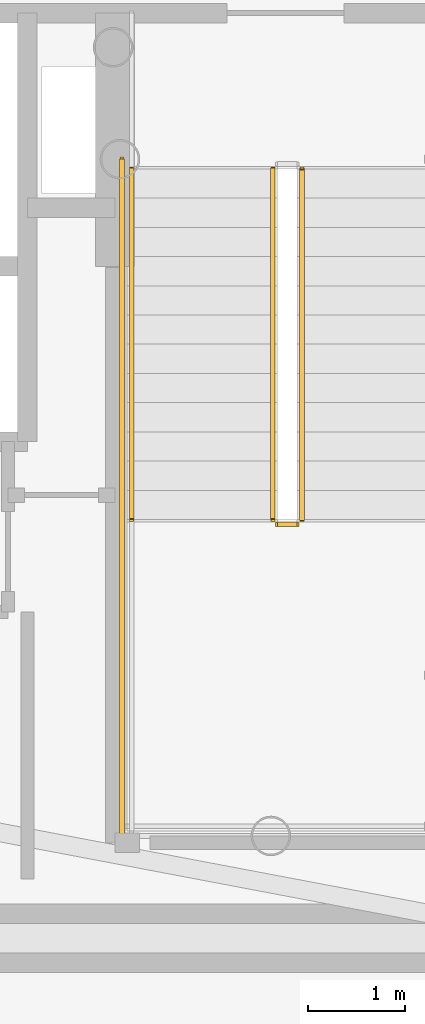
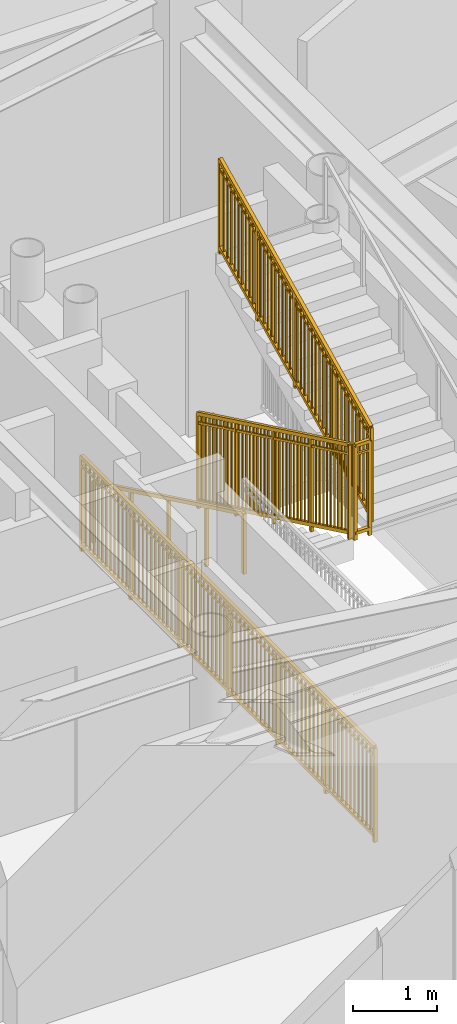
# One storey, part 17 of 20: 5 railings.
"""IFC4 building model written with IfcOpenShell, lengths in metres."""

from ifc_helpers import new_model, si_unit, direction, frame, origin, origin_2d, place, context, subcontext, project, spatial, rectangle, extrude, source, transform, mapped, material, type_object, element, save


model = new_model("IFC4")

# Units and contexts
model_context = context("Model", 3, precision=1e-05, world=origin(), true_north=direction((0.0, 1.0)))
body_context = subcontext(model_context, "Body", "Model", "MODEL_VIEW")
ifc_project = project(units=[si_unit("LENGTHUNIT", "METRE"), si_unit("AREAUNIT", "SQUARE_METRE"), si_unit("VOLUMEUNIT", "CUBIC_METRE"), si_unit("PLANEANGLEUNIT", "RADIAN"), si_unit("MASSUNIT", "GRAM", prefix="KILO")], contexts=[model_context])

# Site, building, storey
site_placement = place(None, origin())
site = spatial("IfcSite", under=ifc_project, at=site_placement, CompositionType="ELEMENT")
building_placement = place(site_placement, origin())
building = spatial("IfcBuilding", under=site, at=building_placement, Name="Linh Dai School and Residence Tower", CompositionType="ELEMENT")
storey_placement = place(building_placement, frame((0.0, 0.0, 232.800048828125)))
storey = spatial("IfcBuildingStorey", under=building, at=storey_placement, Name="L57", CompositionType="ELEMENT", Elevation=232.800048828125)

# Railings
ifc_material_1 = material(Name="Structural Steel S355JR", Category="steel")
railing_type_1 = type_object("IfcRailingType", Name="RL-ST-GUARD-1400", PredefinedType="GUARDRAIL", material=ifc_material_1)
shared_shape_1 = source(origin(), body_context, "Body", "SweptSolid", [
    extrude(rectangle(XDim=0.048095703125, YDim=0.048095703125, at=origin_2d()), frame((0.0, 0.0, 1.3759765625), z_axis=(0.0, 0.901262522062, 0.433273431364), x_axis=(-1.0, 0.0, 0.0)), (0.0, 0.0, 1.0), 3.994384765625),
    extrude(rectangle(XDim=0.048095703125, YDim=0.048095703125, at=origin_2d()), frame((0.0, 0.0, 0.10009765625), z_axis=(0.0, 0.901262522062, 0.433273431364), x_axis=(-1.0, 0.0, 0.0)), (0.0, 0.0, 1.0), 3.994384765625),
    extrude(rectangle(XDim=0.030029296875, YDim=0.030029296875, at=origin_2d()), frame((0.0, 0.0, 1.239990234375), z_axis=(0.0, 0.901262522062, 0.433273431364), x_axis=(-1.0, 0.0, 0.0)), (0.0, 0.0, 1.0), 3.994384765625),
    extrude(rectangle(XDim=0.02001953125, YDim=0.02001953125, at=origin_2d()), frame((0.0, 0.087890625, 0.142333984375)), (0.0, 0.0, 1.0), 1.251708984375),
    extrude(rectangle(XDim=0.02001953125, YDim=0.02001953125, at=origin_2d()), frame((0.0, 0.175537109375, 0.1845703125)), (0.0, 0.0, 1.0), 1.251708984375),
    extrude(rectangle(XDim=0.02001953125, YDim=0.02001953125, at=origin_2d()), frame((0.0, 0.263427734375, 0.226806640625)), (0.0, 0.0, 1.0), 1.251708984375),
    extrude(rectangle(XDim=0.02001953125, YDim=0.02001953125, at=origin_2d()), frame((0.0, 0.351318359375, 0.26904296875)), (0.0, 0.0, 1.0), 1.251708984375),
    extrude(rectangle(XDim=0.02001953125, YDim=0.02001953125, at=origin_2d()), frame((0.0, 0.43896484375, 0.311279296875)), (0.0, 0.0, 1.0), 1.251708984375),
    extrude(rectangle(XDim=0.02001953125, YDim=0.02001953125, at=origin_2d()), frame((0.0, 0.52685546875, 0.353271484375)), (0.0, 0.0, 1.0), 1.251708984375),
    extrude(rectangle(XDim=0.02001953125, YDim=0.02001953125, at=origin_2d()), frame((0.0, 0.61474609375, 0.3955078125)), (0.0, 0.0, 1.0), 1.251708984375),
    extrude(rectangle(XDim=0.02001953125, YDim=0.02001953125, at=origin_2d()), frame((0.0, 0.702392578125, 0.437744140625)), (0.0, 0.0, 1.0), 1.251708984375),
    extrude(rectangle(XDim=0.02001953125, YDim=0.02001953125, at=origin_2d()), frame((0.0, 0.790283203125, 0.47998046875)), (0.0, 0.0, 1.0), 1.251708984375),
    extrude(rectangle(XDim=0.02001953125, YDim=0.02001953125, at=origin_2d()), frame((0.0, 0.9658203125, 0.564453125)), (0.0, 0.0, 1.0), 1.251708984375),
    extrude(rectangle(XDim=0.02001953125, YDim=0.02001953125, at=origin_2d()), frame((0.0, 1.0537109375, 0.606689453125)), (0.0, 0.0, 1.0), 1.251708984375),
    extrude(rectangle(XDim=0.02001953125, YDim=0.02001953125, at=origin_2d()), frame((0.0, 1.1416015625, 0.64892578125)), (0.0, 0.0, 1.0), 1.251708984375),
    extrude(rectangle(XDim=0.02001953125, YDim=0.02001953125, at=origin_2d()), frame((0.0, 1.229248046875, 0.691162109375)), (0.0, 0.0, 1.0), 1.251708984375),
    extrude(rectangle(XDim=0.02001953125, YDim=0.02001953125, at=origin_2d()), frame((0.0, 1.317138671875, 0.7333984375)), (0.0, 0.0, 1.0), 1.251708984375),
    extrude(rectangle(XDim=0.02001953125, YDim=0.02001953125, at=origin_2d()), frame((0.0, 1.405029296875, 0.775390625)), (0.0, 0.0, 1.0), 1.251708984375),
    extrude(rectangle(XDim=0.02001953125, YDim=0.02001953125, at=origin_2d()), frame((0.0, 1.49267578125, 0.817626953125)), (0.0, 0.0, 1.0), 1.251708984375),
    extrude(rectangle(XDim=0.02001953125, YDim=0.02001953125, at=origin_2d()), frame((0.0, 1.58056640625, 0.85986328125)), (0.0, 0.0, 1.0), 1.251708984375),
    extrude(rectangle(XDim=0.02001953125, YDim=0.02001953125, at=origin_2d()), frame((0.0, 1.66845703125, 0.902099609375)), (0.0, 0.0, 1.0), 1.251708984375),
    extrude(rectangle(XDim=0.02001953125, YDim=0.02001953125, at=origin_2d()), frame((0.0, 1.756103515625, 0.9443359375)), (0.0, 0.0, 1.0), 1.251708984375),
    extrude(rectangle(XDim=0.02001953125, YDim=0.02001953125, at=origin_2d()), frame((0.0, 1.843994140625, 0.986572265625)), (0.0, 0.0, 1.0), 1.251708984375),
    extrude(rectangle(XDim=0.02001953125, YDim=0.02001953125, at=origin_2d()), frame((0.0, 1.931640625, 1.02880859375)), (0.0, 0.0, 1.0), 1.251708984375),
    extrude(rectangle(XDim=0.02001953125, YDim=0.02001953125, at=origin_2d()), frame((0.0, 2.01953125, 1.071044921875)), (0.0, 0.0, 1.0), 1.251708984375),
    extrude(rectangle(XDim=0.02001953125, YDim=0.02001953125, at=origin_2d()), frame((0.0, 2.107421875, 1.11328125)), (0.0, 0.0, 1.0), 1.251708984375),
    extrude(rectangle(XDim=0.02001953125, YDim=0.02001953125, at=origin_2d()), frame((0.0, 2.195068359375, 1.155517578125)), (0.0, 0.0, 1.0), 1.251708984375),
    extrude(rectangle(XDim=0.02001953125, YDim=0.02001953125, at=origin_2d()), frame((0.0, 2.282958984375, 1.197509765625)), (0.0, 0.0, 1.0), 1.251708984375),
    extrude(rectangle(XDim=0.02001953125, YDim=0.02001953125, at=origin_2d()), frame((0.0, 2.370849609375, 1.23974609375)), (0.0, 0.0, 1.0), 1.251708984375),
    extrude(rectangle(XDim=0.02001953125, YDim=0.02001953125, at=origin_2d()), frame((0.0, 2.45849609375, 1.281982421875)), (0.0, 0.0, 1.0), 1.251708984375),
    extrude(rectangle(XDim=0.02001953125, YDim=0.02001953125, at=origin_2d()), frame((0.0, 2.54638671875, 1.32421875)), (0.0, 0.0, 1.0), 1.251708984375),
    extrude(rectangle(XDim=0.02001953125, YDim=0.02001953125, at=origin_2d()), frame((0.0, 2.63427734375, 1.366455078125)), (0.0, 0.0, 1.0), 1.251708984375),
    extrude(rectangle(XDim=0.02001953125, YDim=0.02001953125, at=origin_2d()), frame((0.0, 2.809814453125, 1.450927734375)), (0.0, 0.0, 1.0), 1.251708984375),
    extrude(rectangle(XDim=0.02001953125, YDim=0.02001953125, at=origin_2d()), frame((0.0, 2.897705078125, 1.4931640625)), (0.0, 0.0, 1.0), 1.251708984375),
    extrude(rectangle(XDim=0.02001953125, YDim=0.02001953125, at=origin_2d()), frame((0.0, 2.9853515625, 1.535400390625)), (0.0, 0.0, 1.0), 1.251708984375),
    extrude(rectangle(XDim=0.02001953125, YDim=0.02001953125, at=origin_2d()), frame((0.0, 3.0732421875, 1.57763671875)), (0.0, 0.0, 1.0), 1.251708984375),
    extrude(rectangle(XDim=0.02001953125, YDim=0.02001953125, at=origin_2d()), frame((0.0, 3.1611328125, 1.61962890625)), (0.0, 0.0, 1.0), 1.251708984375),
    extrude(rectangle(XDim=0.02001953125, YDim=0.02001953125, at=origin_2d()), frame((0.0, 3.248779296875, 1.661865234375)), (0.0, 0.0, 1.0), 1.251708984375),
    extrude(rectangle(XDim=0.02001953125, YDim=0.02001953125, at=origin_2d()), frame((0.0, 3.336669921875, 1.7041015625)), (0.0, 0.0, 1.0), 1.251708984375),
    extrude(rectangle(XDim=0.02001953125, YDim=0.02001953125, at=origin_2d()), frame((0.0, 3.424560546875, 1.746337890625)), (0.0, 0.0, 1.0), 1.251708984375),
    extrude(rectangle(XDim=0.02001953125, YDim=0.02001953125, at=origin_2d()), frame((0.0, 3.51220703125, 1.78857421875)), (0.0, 0.0, 1.0), 1.251708984375),
    extrude(rectangle(XDim=0.0419921875, YDim=0.0419921875, at=origin_2d()), origin(), (0.0, 0.0, 1.0), 1.3759765625),
    extrude(rectangle(XDim=0.0419921875, YDim=0.0419921875, at=origin_2d()), frame((0.0, 0.89990234375, 0.4326171875)), (0.0, 0.0, 1.0), 1.3759765625),
    extrude(rectangle(XDim=0.0419921875, YDim=0.0419921875, at=origin_2d()), frame((0.0, 1.800048828125, 0.865234375)), (0.0, 0.0, 1.0), 1.3759765625),
    extrude(rectangle(XDim=0.0419921875, YDim=0.0419921875, at=origin_2d()), frame((0.0, 2.7001953125, 1.298095703125)), (0.0, 0.0, 1.0), 1.3759765625),
    extrude(rectangle(XDim=0.0419921875, YDim=0.0419921875, at=origin_2d()), frame((0.0, 3.60009765625, 1.730712890625)), (0.0, 0.0, 1.0), 1.3759765625),
])
railing_1_placement = place(storey_placement, frame((42.820068359375, 24.64990234375, 2.019287109375)))
element("IfcRailing", 1, at=railing_1_placement, inside=storey, type_object=railing_type_1, Name="L57 ST2 stair guard 6", PredefinedType="GUARDRAIL", context=body_context, shape_type="MappedRepresentation", body=[
    mapped(shared_shape_1, transform((0.0, 0.0, 0.0), x_axis=(1.0, 0.0, 0.0), y_axis=(0.0, 1.0, 0.0), z_axis=(0.0, 0.0, 1.0), scale=1.0)),
])
shared_shape_2 = source(origin(), body_context, "Body", "SweptSolid", [
    extrude(rectangle(XDim=0.048095703125, YDim=0.048095703125, at=origin_2d()), frame((0.0, 0.0, 1.3759765625), z_axis=(0.0, -0.901262522062, 0.433273431364), x_axis=(1.0, 0.0, 0.0)), (0.0, 0.0, 1.0), 3.994384765625),
    extrude(rectangle(XDim=0.048095703125, YDim=0.048095703125, at=origin_2d()), frame((0.0, 0.0, 0.10009765625), z_axis=(0.0, -0.901262522062, 0.433273431364), x_axis=(1.0, 0.0, 0.0)), (0.0, 0.0, 1.0), 3.994384765625),
    extrude(rectangle(XDim=0.030029296875, YDim=0.030029296875, at=origin_2d()), frame((0.0, 0.0, 1.239990234375), z_axis=(0.0, -0.901262522062, 0.433273431364), x_axis=(1.0, 0.0, 0.0)), (0.0, 0.0, 1.0), 3.994384765625),
    extrude(rectangle(XDim=0.02001953125, YDim=0.02001953125, at=origin_2d()), frame((0.0, -0.087890625, 0.142333984375)), (0.0, 0.0, 1.0), 1.251708984375),
    extrude(rectangle(XDim=0.02001953125, YDim=0.02001953125, at=origin_2d()), frame((0.0, -0.175537109375, 0.1845703125)), (0.0, 0.0, 1.0), 1.251708984375),
    extrude(rectangle(XDim=0.02001953125, YDim=0.02001953125, at=origin_2d()), frame((0.0, -0.263427734375, 0.226806640625)), (0.0, 0.0, 1.0), 1.251708984375),
    extrude(rectangle(XDim=0.02001953125, YDim=0.02001953125, at=origin_2d()), frame((0.0, -0.351318359375, 0.26904296875)), (0.0, 0.0, 1.0), 1.251708984375),
    extrude(rectangle(XDim=0.02001953125, YDim=0.02001953125, at=origin_2d()), frame((0.0, -0.43896484375, 0.311279296875)), (0.0, 0.0, 1.0), 1.251708984375),
    extrude(rectangle(XDim=0.02001953125, YDim=0.02001953125, at=origin_2d()), frame((0.0, -0.52685546875, 0.353271484375)), (0.0, 0.0, 1.0), 1.251708984375),
    extrude(rectangle(XDim=0.02001953125, YDim=0.02001953125, at=origin_2d()), frame((0.0, -0.61474609375, 0.3955078125)), (0.0, 0.0, 1.0), 1.251708984375),
    extrude(rectangle(XDim=0.02001953125, YDim=0.02001953125, at=origin_2d()), frame((0.0, -0.702392578125, 0.437744140625)), (0.0, 0.0, 1.0), 1.251708984375),
    extrude(rectangle(XDim=0.02001953125, YDim=0.02001953125, at=origin_2d()), frame((0.0, -0.790283203125, 0.47998046875)), (0.0, 0.0, 1.0), 1.251708984375),
    extrude(rectangle(XDim=0.02001953125, YDim=0.02001953125, at=origin_2d()), frame((0.0, -0.9658203125, 0.564453125)), (0.0, 0.0, 1.0), 1.251708984375),
    extrude(rectangle(XDim=0.02001953125, YDim=0.02001953125, at=origin_2d()), frame((0.0, -1.0537109375, 0.606689453125)), (0.0, 0.0, 1.0), 1.251708984375),
    extrude(rectangle(XDim=0.02001953125, YDim=0.02001953125, at=origin_2d()), frame((0.0, -1.1416015625, 0.64892578125)), (0.0, 0.0, 1.0), 1.251708984375),
    extrude(rectangle(XDim=0.02001953125, YDim=0.02001953125, at=origin_2d()), frame((0.0, -1.229248046875, 0.691162109375)), (0.0, 0.0, 1.0), 1.251708984375),
    extrude(rectangle(XDim=0.02001953125, YDim=0.02001953125, at=origin_2d()), frame((0.0, -1.317138671875, 0.7333984375)), (0.0, 0.0, 1.0), 1.251708984375),
    extrude(rectangle(XDim=0.02001953125, YDim=0.02001953125, at=origin_2d()), frame((0.0, -1.405029296875, 0.775390625)), (0.0, 0.0, 1.0), 1.251708984375),
    extrude(rectangle(XDim=0.02001953125, YDim=0.02001953125, at=origin_2d()), frame((0.0, -1.49267578125, 0.817626953125)), (0.0, 0.0, 1.0), 1.251708984375),
    extrude(rectangle(XDim=0.02001953125, YDim=0.02001953125, at=origin_2d()), frame((0.0, -1.58056640625, 0.85986328125)), (0.0, 0.0, 1.0), 1.251708984375),
    extrude(rectangle(XDim=0.02001953125, YDim=0.02001953125, at=origin_2d()), frame((0.0, -1.66845703125, 0.902099609375)), (0.0, 0.0, 1.0), 1.251708984375),
    extrude(rectangle(XDim=0.02001953125, YDim=0.02001953125, at=origin_2d()), frame((0.0, -1.756103515625, 0.9443359375)), (0.0, 0.0, 1.0), 1.251708984375),
    extrude(rectangle(XDim=0.02001953125, YDim=0.02001953125, at=origin_2d()), frame((0.0, -1.843994140625, 0.986572265625)), (0.0, 0.0, 1.0), 1.251708984375),
    extrude(rectangle(XDim=0.02001953125, YDim=0.02001953125, at=origin_2d()), frame((0.0, -1.931640625, 1.02880859375)), (0.0, 0.0, 1.0), 1.251708984375),
    extrude(rectangle(XDim=0.02001953125, YDim=0.02001953125, at=origin_2d()), frame((0.0, -2.01953125, 1.071044921875)), (0.0, 0.0, 1.0), 1.251708984375),
    extrude(rectangle(XDim=0.02001953125, YDim=0.02001953125, at=origin_2d()), frame((0.0, -2.107421875, 1.11328125)), (0.0, 0.0, 1.0), 1.251708984375),
    extrude(rectangle(XDim=0.02001953125, YDim=0.02001953125, at=origin_2d()), frame((0.0, -2.195068359375, 1.155517578125)), (0.0, 0.0, 1.0), 1.251708984375),
    extrude(rectangle(XDim=0.02001953125, YDim=0.02001953125, at=origin_2d()), frame((0.0, -2.282958984375, 1.197509765625)), (0.0, 0.0, 1.0), 1.251708984375),
    extrude(rectangle(XDim=0.02001953125, YDim=0.02001953125, at=origin_2d()), frame((0.0, -2.370849609375, 1.23974609375)), (0.0, 0.0, 1.0), 1.251708984375),
    extrude(rectangle(XDim=0.02001953125, YDim=0.02001953125, at=origin_2d()), frame((0.0, -2.45849609375, 1.281982421875)), (0.0, 0.0, 1.0), 1.251708984375),
    extrude(rectangle(XDim=0.02001953125, YDim=0.02001953125, at=origin_2d()), frame((0.0, -2.54638671875, 1.32421875)), (0.0, 0.0, 1.0), 1.251708984375),
    extrude(rectangle(XDim=0.02001953125, YDim=0.02001953125, at=origin_2d()), frame((0.0, -2.63427734375, 1.366455078125)), (0.0, 0.0, 1.0), 1.251708984375),
    extrude(rectangle(XDim=0.02001953125, YDim=0.02001953125, at=origin_2d()), frame((0.0, -2.809814453125, 1.450927734375)), (0.0, 0.0, 1.0), 1.251708984375),
    extrude(rectangle(XDim=0.02001953125, YDim=0.02001953125, at=origin_2d()), frame((0.0, -2.897705078125, 1.4931640625)), (0.0, 0.0, 1.0), 1.251708984375),
    extrude(rectangle(XDim=0.02001953125, YDim=0.02001953125, at=origin_2d()), frame((0.0, -2.9853515625, 1.535400390625)), (0.0, 0.0, 1.0), 1.251708984375),
    extrude(rectangle(XDim=0.02001953125, YDim=0.02001953125, at=origin_2d()), frame((0.0, -3.0732421875, 1.57763671875)), (0.0, 0.0, 1.0), 1.251708984375),
    extrude(rectangle(XDim=0.02001953125, YDim=0.02001953125, at=origin_2d()), frame((0.0, -3.1611328125, 1.61962890625)), (0.0, 0.0, 1.0), 1.251708984375),
    extrude(rectangle(XDim=0.02001953125, YDim=0.02001953125, at=origin_2d()), frame((0.0, -3.248779296875, 1.661865234375)), (0.0, 0.0, 1.0), 1.251708984375),
    extrude(rectangle(XDim=0.02001953125, YDim=0.02001953125, at=origin_2d()), frame((0.0, -3.336669921875, 1.7041015625)), (0.0, 0.0, 1.0), 1.251708984375),
    extrude(rectangle(XDim=0.02001953125, YDim=0.02001953125, at=origin_2d()), frame((0.0, -3.424560546875, 1.746337890625)), (0.0, 0.0, 1.0), 1.251708984375),
    extrude(rectangle(XDim=0.02001953125, YDim=0.02001953125, at=origin_2d()), frame((0.0, -3.51220703125, 1.78857421875)), (0.0, 0.0, 1.0), 1.251708984375),
    extrude(rectangle(XDim=0.0419921875, YDim=0.0419921875, at=origin_2d()), origin(), (0.0, 0.0, 1.0), 1.3759765625),
    extrude(rectangle(XDim=0.0419921875, YDim=0.0419921875, at=origin_2d()), frame((0.0, -0.89990234375, 0.4326171875)), (0.0, 0.0, 1.0), 1.3759765625),
    extrude(rectangle(XDim=0.0419921875, YDim=0.0419921875, at=origin_2d()), frame((0.0, -1.800048828125, 0.865234375)), (0.0, 0.0, 1.0), 1.3759765625),
    extrude(rectangle(XDim=0.0419921875, YDim=0.0419921875, at=origin_2d()), frame((0.0, -2.7001953125, 1.298095703125)), (0.0, 0.0, 1.0), 1.3759765625),
    extrude(rectangle(XDim=0.0419921875, YDim=0.0419921875, at=origin_2d()), frame((0.0, -3.60009765625, 1.730712890625)), (0.0, 0.0, 1.0), 1.3759765625),
])
railing_2_placement = place(storey_placement, frame((42.52001953125, 28.25, 0.144287109375)))
element("IfcRailing", 2, at=railing_2_placement, inside=storey, type_object=railing_type_1, Name="L57 ST2 stair guard 1", PredefinedType="GUARDRAIL", context=body_context, shape_type="MappedRepresentation", body=[
    mapped(shared_shape_2, transform((0.0, 0.0, 0.0), x_axis=(1.0, 0.0, 0.0), y_axis=(0.0, 1.0, 0.0), z_axis=(0.0, 0.0, 1.0), scale=1.0)),
])
ifc_material_2 = material(Name="Brushed Stainless Steel Handrail", Category="steel")
railing_type_2 = type_object("IfcRailingType", Name="RL-ST-HANDRAIL-900", PredefinedType="HANDRAIL", material=ifc_material_2)
shared_shape_3 = source(origin(), body_context, "Body", "SweptSolid", [
    extrude(rectangle(XDim=0.048095703125, YDim=0.048095703125, at=origin_2d()), frame((0.0, 0.0, 0.8759765625), z_axis=(0.0, -0.901262522062, 0.433273431364), x_axis=(1.0, 0.0, 0.0)), (0.0, 0.0, 1.0), 3.994384765625),
    extrude(rectangle(XDim=0.0419921875, YDim=0.0419921875, at=origin_2d()), origin(), (0.0, 0.0, 1.0), 0.8759765625),
    extrude(rectangle(XDim=0.0419921875, YDim=0.0419921875, at=origin_2d()), frame((0.0, -0.89990234375, 0.4326171875)), (0.0, 0.0, 1.0), 0.8759765625),
    extrude(rectangle(XDim=0.0419921875, YDim=0.0419921875, at=origin_2d()), frame((0.0, -1.800048828125, 0.865234375)), (0.0, 0.0, 1.0), 0.8759765625),
    extrude(rectangle(XDim=0.0419921875, YDim=0.0419921875, at=origin_2d()), frame((0.0, -2.7001953125, 1.298095703125)), (0.0, 0.0, 1.0), 0.8759765625),
    extrude(rectangle(XDim=0.0419921875, YDim=0.0419921875, at=origin_2d()), frame((0.0, -3.60009765625, 1.730712890625)), (0.0, 0.0, 1.0), 0.8759765625),
])
railing_3_placement = place(storey_placement, frame((41.070068359375, 28.25, 0.144287109375)))
element("IfcRailing", 3, at=railing_3_placement, inside=storey, type_object=railing_type_2, Name="L57 ST2 stair handrail 1", PredefinedType="HANDRAIL", context=body_context, shape_type="MappedRepresentation", body=[
    mapped(shared_shape_3, transform((0.0, 0.0, 0.0), x_axis=(1.0, 0.0, 0.0), y_axis=(0.0, 1.0, 0.0), z_axis=(0.0, 0.0, 1.0), scale=1.0)),
])
shared_shape_4 = source(origin(), body_context, "Body", "SweptSolid", [
    extrude(rectangle(XDim=0.048095703125, YDim=0.048095703125, at=origin_2d()), frame((0.0, 0.0, 1.3759765625), z_axis=(1.0, 0.0, 0.0), x_axis=(0.0, 1.0, 0.0)), (0.0, 0.0, 1.0), 0.199951171875),
    extrude(rectangle(XDim=0.048095703125, YDim=0.048095703125, at=origin_2d()), frame((0.0, 0.0, 0.10009765625), z_axis=(1.0, 0.0, 0.0), x_axis=(0.0, 1.0, 0.0)), (0.0, 0.0, 1.0), 0.199951171875),
    extrude(rectangle(XDim=0.030029296875, YDim=0.030029296875, at=origin_2d()), frame((0.0, 0.0, 1.239990234375), z_axis=(1.0, 0.0, 0.0), x_axis=(0.0, 1.0, 0.0)), (0.0, 0.0, 1.0), 0.199951171875),
    extrude(rectangle(XDim=0.0419921875, YDim=0.0419921875, at=origin_2d()), origin(), (0.0, 0.0, 1.0), 1.3759765625),
    extrude(rectangle(XDim=0.0419921875, YDim=0.0419921875, at=origin_2d()), frame((0.199951171875, 0.0, 0.0)), (0.0, 0.0, 1.0), 1.3759765625),
])
railing_4_placement = place(storey_placement, frame((42.570068359375, 24.60009765625, 1.875)))
element("IfcRailing", 4, at=railing_4_placement, inside=storey, type_object=railing_type_1, Name="L57 ST2 stair guard 2", PredefinedType="GUARDRAIL", context=body_context, shape_type="MappedRepresentation", body=[
    mapped(shared_shape_4, transform((0.0, 0.0, 0.0), x_axis=(1.0, 0.0, 0.0), y_axis=(0.0, 1.0, 0.0), z_axis=(0.0, 0.0, 1.0), scale=1.0)),
])
shared_shape_5 = source(origin(), body_context, "Body", "SweptSolid", [
    extrude(rectangle(XDim=0.048095703125, YDim=0.048095703125, at=origin_2d()), frame((0.0, 0.0, 1.3759765625), z_axis=(0.0, -1.0, 0.0), x_axis=(1.0, 0.0, 0.0)), (0.0, 0.0, 1.0), 7.0),
    extrude(rectangle(XDim=0.048095703125, YDim=0.048095703125, at=origin_2d()), frame((0.0, 0.0, 0.10009765625), z_axis=(0.0, -1.0, 0.0), x_axis=(1.0, 0.0, 0.0)), (0.0, 0.0, 1.0), 7.0),
    extrude(rectangle(XDim=0.030029296875, YDim=0.030029296875, at=origin_2d()), frame((0.0, 0.0, 1.239990234375), z_axis=(0.0, -1.0, 0.0), x_axis=(1.0, 0.0, 0.0)), (0.0, 0.0, 1.0), 7.0),
    extrude(rectangle(XDim=0.02001953125, YDim=0.02001953125, at=origin_2d()), frame((0.0, -0.09716796875, 0.10009765625)), (0.0, 0.0, 1.0), 1.251708984375),
    extrude(rectangle(XDim=0.02001953125, YDim=0.02001953125, at=origin_2d()), frame((0.0, -0.1943359375, 0.10009765625)), (0.0, 0.0, 1.0), 1.251708984375),
    extrude(rectangle(XDim=0.02001953125, YDim=0.02001953125, at=origin_2d()), frame((0.0, -0.291748046875, 0.10009765625)), (0.0, 0.0, 1.0), 1.251708984375),
    extrude(rectangle(XDim=0.02001953125, YDim=0.02001953125, at=origin_2d()), frame((0.0, -0.388916015625, 0.10009765625)), (0.0, 0.0, 1.0), 1.251708984375),
    extrude(rectangle(XDim=0.02001953125, YDim=0.02001953125, at=origin_2d()), frame((0.0, -0.486083984375, 0.10009765625)), (0.0, 0.0, 1.0), 1.251708984375),
    extrude(rectangle(XDim=0.02001953125, YDim=0.02001953125, at=origin_2d()), frame((0.0, -0.583251953125, 0.10009765625)), (0.0, 0.0, 1.0), 1.251708984375),
    extrude(rectangle(XDim=0.02001953125, YDim=0.02001953125, at=origin_2d()), frame((0.0, -0.6806640625, 0.10009765625)), (0.0, 0.0, 1.0), 1.251708984375),
    extrude(rectangle(XDim=0.02001953125, YDim=0.02001953125, at=origin_2d()), frame((0.0, -0.77783203125, 0.10009765625)), (0.0, 0.0, 1.0), 1.251708984375),
    extrude(rectangle(XDim=0.02001953125, YDim=0.02001953125, at=origin_2d()), frame((0.0, -0.875, 0.10009765625)), (0.0, 0.0, 1.0), 1.251708984375),
    extrude(rectangle(XDim=0.02001953125, YDim=0.02001953125, at=origin_2d()), frame((0.0, -0.97216796875, 0.10009765625)), (0.0, 0.0, 1.0), 1.251708984375),
    extrude(rectangle(XDim=0.02001953125, YDim=0.02001953125, at=origin_2d()), frame((0.0, -1.0693359375, 0.10009765625)), (0.0, 0.0, 1.0), 1.251708984375),
    extrude(rectangle(XDim=0.02001953125, YDim=0.02001953125, at=origin_2d()), frame((0.0, -1.263916015625, 0.10009765625)), (0.0, 0.0, 1.0), 1.251708984375),
    extrude(rectangle(XDim=0.02001953125, YDim=0.02001953125, at=origin_2d()), frame((0.0, -1.361083984375, 0.10009765625)), (0.0, 0.0, 1.0), 1.251708984375),
    extrude(rectangle(XDim=0.02001953125, YDim=0.02001953125, at=origin_2d()), frame((0.0, -1.458251953125, 0.10009765625)), (0.0, 0.0, 1.0), 1.251708984375),
    extrude(rectangle(XDim=0.02001953125, YDim=0.02001953125, at=origin_2d()), frame((0.0, -1.5556640625, 0.10009765625)), (0.0, 0.0, 1.0), 1.251708984375),
    extrude(rectangle(XDim=0.02001953125, YDim=0.02001953125, at=origin_2d()), frame((0.0, -1.65283203125, 0.10009765625)), (0.0, 0.0, 1.0), 1.251708984375),
    extrude(rectangle(XDim=0.02001953125, YDim=0.02001953125, at=origin_2d()), frame((0.0, -1.75, 0.10009765625)), (0.0, 0.0, 1.0), 1.251708984375),
    extrude(rectangle(XDim=0.02001953125, YDim=0.02001953125, at=origin_2d()), frame((0.0, -1.84716796875, 0.10009765625)), (0.0, 0.0, 1.0), 1.251708984375),
    extrude(rectangle(XDim=0.02001953125, YDim=0.02001953125, at=origin_2d()), frame((0.0, -1.9443359375, 0.10009765625)), (0.0, 0.0, 1.0), 1.251708984375),
    extrude(rectangle(XDim=0.02001953125, YDim=0.02001953125, at=origin_2d()), frame((0.0, -2.041748046875, 0.10009765625)), (0.0, 0.0, 1.0), 1.251708984375),
    extrude(rectangle(XDim=0.02001953125, YDim=0.02001953125, at=origin_2d()), frame((0.0, -2.138916015625, 0.10009765625)), (0.0, 0.0, 1.0), 1.251708984375),
    extrude(rectangle(XDim=0.02001953125, YDim=0.02001953125, at=origin_2d()), frame((0.0, -2.236083984375, 0.10009765625)), (0.0, 0.0, 1.0), 1.251708984375),
    extrude(rectangle(XDim=0.02001953125, YDim=0.02001953125, at=origin_2d()), frame((0.0, -2.4306640625, 0.10009765625)), (0.0, 0.0, 1.0), 1.251708984375),
    extrude(rectangle(XDim=0.02001953125, YDim=0.02001953125, at=origin_2d()), frame((0.0, -2.52783203125, 0.10009765625)), (0.0, 0.0, 1.0), 1.251708984375),
    extrude(rectangle(XDim=0.02001953125, YDim=0.02001953125, at=origin_2d()), frame((0.0, -2.625, 0.10009765625)), (0.0, 0.0, 1.0), 1.251708984375),
    extrude(rectangle(XDim=0.02001953125, YDim=0.02001953125, at=origin_2d()), frame((0.0, -2.72216796875, 0.10009765625)), (0.0, 0.0, 1.0), 1.251708984375),
    extrude(rectangle(XDim=0.02001953125, YDim=0.02001953125, at=origin_2d()), frame((0.0, -2.8193359375, 0.10009765625)), (0.0, 0.0, 1.0), 1.251708984375),
    extrude(rectangle(XDim=0.02001953125, YDim=0.02001953125, at=origin_2d()), frame((0.0, -2.916748046875, 0.10009765625)), (0.0, 0.0, 1.0), 1.251708984375),
    extrude(rectangle(XDim=0.02001953125, YDim=0.02001953125, at=origin_2d()), frame((0.0, -3.013916015625, 0.10009765625)), (0.0, 0.0, 1.0), 1.251708984375),
    extrude(rectangle(XDim=0.02001953125, YDim=0.02001953125, at=origin_2d()), frame((0.0, -3.111083984375, 0.10009765625)), (0.0, 0.0, 1.0), 1.251708984375),
    extrude(rectangle(XDim=0.02001953125, YDim=0.02001953125, at=origin_2d()), frame((0.0, -3.208251953125, 0.10009765625)), (0.0, 0.0, 1.0), 1.251708984375),
    extrude(rectangle(XDim=0.02001953125, YDim=0.02001953125, at=origin_2d()), frame((0.0, -3.3056640625, 0.10009765625)), (0.0, 0.0, 1.0), 1.251708984375),
    extrude(rectangle(XDim=0.02001953125, YDim=0.02001953125, at=origin_2d()), frame((0.0, -3.40283203125, 0.10009765625)), (0.0, 0.0, 1.0), 1.251708984375),
    extrude(rectangle(XDim=0.02001953125, YDim=0.02001953125, at=origin_2d()), frame((0.0, -3.59716796875, 0.10009765625)), (0.0, 0.0, 1.0), 1.251708984375),
    extrude(rectangle(XDim=0.02001953125, YDim=0.02001953125, at=origin_2d()), frame((0.0, -3.6943359375, 0.10009765625)), (0.0, 0.0, 1.0), 1.251708984375),
    extrude(rectangle(XDim=0.02001953125, YDim=0.02001953125, at=origin_2d()), frame((0.0, -3.791748046875, 0.10009765625)), (0.0, 0.0, 1.0), 1.251708984375),
    extrude(rectangle(XDim=0.02001953125, YDim=0.02001953125, at=origin_2d()), frame((0.0, -3.888916015625, 0.10009765625)), (0.0, 0.0, 1.0), 1.251708984375),
    extrude(rectangle(XDim=0.02001953125, YDim=0.02001953125, at=origin_2d()), frame((0.0, -3.986083984375, 0.10009765625)), (0.0, 0.0, 1.0), 1.251708984375),
    extrude(rectangle(XDim=0.02001953125, YDim=0.02001953125, at=origin_2d()), frame((0.0, -4.083251953125, 0.10009765625)), (0.0, 0.0, 1.0), 1.251708984375),
    extrude(rectangle(XDim=0.02001953125, YDim=0.02001953125, at=origin_2d()), frame((0.0, -4.1806640625, 0.10009765625)), (0.0, 0.0, 1.0), 1.251708984375),
    extrude(rectangle(XDim=0.02001953125, YDim=0.02001953125, at=origin_2d()), frame((0.0, -4.27783203125, 0.10009765625)), (0.0, 0.0, 1.0), 1.251708984375),
    extrude(rectangle(XDim=0.02001953125, YDim=0.02001953125, at=origin_2d()), frame((0.0, -4.375, 0.10009765625)), (0.0, 0.0, 1.0), 1.251708984375),
    extrude(rectangle(XDim=0.02001953125, YDim=0.02001953125, at=origin_2d()), frame((0.0, -4.47216796875, 0.10009765625)), (0.0, 0.0, 1.0), 1.251708984375),
    extrude(rectangle(XDim=0.02001953125, YDim=0.02001953125, at=origin_2d()), frame((0.0, -4.5693359375, 0.10009765625)), (0.0, 0.0, 1.0), 1.251708984375),
    extrude(rectangle(XDim=0.02001953125, YDim=0.02001953125, at=origin_2d()), frame((0.0, -4.763916015625, 0.10009765625)), (0.0, 0.0, 1.0), 1.251708984375),
    extrude(rectangle(XDim=0.02001953125, YDim=0.02001953125, at=origin_2d()), frame((0.0, -4.861083984375, 0.10009765625)), (0.0, 0.0, 1.0), 1.251708984375),
    extrude(rectangle(XDim=0.02001953125, YDim=0.02001953125, at=origin_2d()), frame((0.0, -4.958251953125, 0.10009765625)), (0.0, 0.0, 1.0), 1.251708984375),
    extrude(rectangle(XDim=0.02001953125, YDim=0.02001953125, at=origin_2d()), frame((0.0, -5.0556640625, 0.10009765625)), (0.0, 0.0, 1.0), 1.251708984375),
    extrude(rectangle(XDim=0.02001953125, YDim=0.02001953125, at=origin_2d()), frame((0.0, -5.15283203125, 0.10009765625)), (0.0, 0.0, 1.0), 1.251708984375),
    extrude(rectangle(XDim=0.02001953125, YDim=0.02001953125, at=origin_2d()), frame((0.0, -5.25, 0.10009765625)), (0.0, 0.0, 1.0), 1.251708984375),
    extrude(rectangle(XDim=0.02001953125, YDim=0.02001953125, at=origin_2d()), frame((0.0, -5.34716796875, 0.10009765625)), (0.0, 0.0, 1.0), 1.251708984375),
    extrude(rectangle(XDim=0.02001953125, YDim=0.02001953125, at=origin_2d()), frame((0.0, -5.4443359375, 0.10009765625)), (0.0, 0.0, 1.0), 1.251708984375),
    extrude(rectangle(XDim=0.02001953125, YDim=0.02001953125, at=origin_2d()), frame((0.0, -5.541748046875, 0.10009765625)), (0.0, 0.0, 1.0), 1.251708984375),
    extrude(rectangle(XDim=0.02001953125, YDim=0.02001953125, at=origin_2d()), frame((0.0, -5.638916015625, 0.10009765625)), (0.0, 0.0, 1.0), 1.251708984375),
    extrude(rectangle(XDim=0.02001953125, YDim=0.02001953125, at=origin_2d()), frame((0.0, -5.736083984375, 0.10009765625)), (0.0, 0.0, 1.0), 1.251708984375),
    extrude(rectangle(XDim=0.02001953125, YDim=0.02001953125, at=origin_2d()), frame((0.0, -5.9306640625, 0.10009765625)), (0.0, 0.0, 1.0), 1.251708984375),
    extrude(rectangle(XDim=0.02001953125, YDim=0.02001953125, at=origin_2d()), frame((0.0, -6.02783203125, 0.10009765625)), (0.0, 0.0, 1.0), 1.251708984375),
    extrude(rectangle(XDim=0.02001953125, YDim=0.02001953125, at=origin_2d()), frame((0.0, -6.125, 0.10009765625)), (0.0, 0.0, 1.0), 1.251708984375),
    extrude(rectangle(XDim=0.02001953125, YDim=0.02001953125, at=origin_2d()), frame((0.0, -6.22216796875, 0.10009765625)), (0.0, 0.0, 1.0), 1.251708984375),
    extrude(rectangle(XDim=0.02001953125, YDim=0.02001953125, at=origin_2d()), frame((0.0, -6.3193359375, 0.10009765625)), (0.0, 0.0, 1.0), 1.251708984375),
    extrude(rectangle(XDim=0.02001953125, YDim=0.02001953125, at=origin_2d()), frame((0.0, -6.416748046875, 0.10009765625)), (0.0, 0.0, 1.0), 1.251708984375),
    extrude(rectangle(XDim=0.02001953125, YDim=0.02001953125, at=origin_2d()), frame((0.0, -6.513916015625, 0.10009765625)), (0.0, 0.0, 1.0), 1.251708984375),
    extrude(rectangle(XDim=0.02001953125, YDim=0.02001953125, at=origin_2d()), frame((0.0, -6.611083984375, 0.10009765625)), (0.0, 0.0, 1.0), 1.251708984375),
    extrude(rectangle(XDim=0.02001953125, YDim=0.02001953125, at=origin_2d()), frame((0.0, -6.708251953125, 0.10009765625)), (0.0, 0.0, 1.0), 1.251708984375),
    extrude(rectangle(XDim=0.02001953125, YDim=0.02001953125, at=origin_2d()), frame((0.0, -6.8056640625, 0.10009765625)), (0.0, 0.0, 1.0), 1.251708984375),
    extrude(rectangle(XDim=0.02001953125, YDim=0.02001953125, at=origin_2d()), frame((0.0, -6.90283203125, 0.10009765625)), (0.0, 0.0, 1.0), 1.251708984375),
    extrude(rectangle(XDim=0.0419921875, YDim=0.0419921875, at=origin_2d()), origin(), (0.0, 0.0, 1.0), 1.3759765625),
    extrude(rectangle(XDim=0.0419921875, YDim=0.0419921875, at=origin_2d()), frame((0.0, -1.166748046875, 0.0)), (0.0, 0.0, 1.0), 1.3759765625),
    extrude(rectangle(XDim=0.0419921875, YDim=0.0419921875, at=origin_2d()), frame((0.0, -2.333251953125, 0.0)), (0.0, 0.0, 1.0), 1.3759765625),
    extrude(rectangle(XDim=0.0419921875, YDim=0.0419921875, at=origin_2d()), frame((0.0, -3.5, 0.0)), (0.0, 0.0, 1.0), 1.3759765625),
    extrude(rectangle(XDim=0.0419921875, YDim=0.0419921875, at=origin_2d()), frame((0.0, -4.666748046875, 0.0)), (0.0, 0.0, 1.0), 1.3759765625),
    extrude(rectangle(XDim=0.0419921875, YDim=0.0419921875, at=origin_2d()), frame((0.0, -5.833251953125, 0.0)), (0.0, 0.0, 1.0), 1.3759765625),
    extrude(rectangle(XDim=0.0419921875, YDim=0.0419921875, at=origin_2d()), frame((0.0, -7.0, 0.0)), (0.0, 0.0, 1.0), 1.3759765625),
])
railing_5_placement = place(storey_placement, frame((40.969970703125, 28.35009765625, 0.0)))
element("IfcRailing", 5, at=railing_5_placement, inside=storey, type_object=railing_type_1, Name="L57 ST2 stair guard 10", PredefinedType="GUARDRAIL", context=body_context, shape_type="MappedRepresentation", body=[
    mapped(shared_shape_5, transform((0.0, 0.0, 0.0), x_axis=(1.0, 0.0, 0.0), y_axis=(0.0, 1.0, 0.0), z_axis=(0.0, 0.0, 1.0), scale=1.0)),
])

save(model, "model.ifc")
